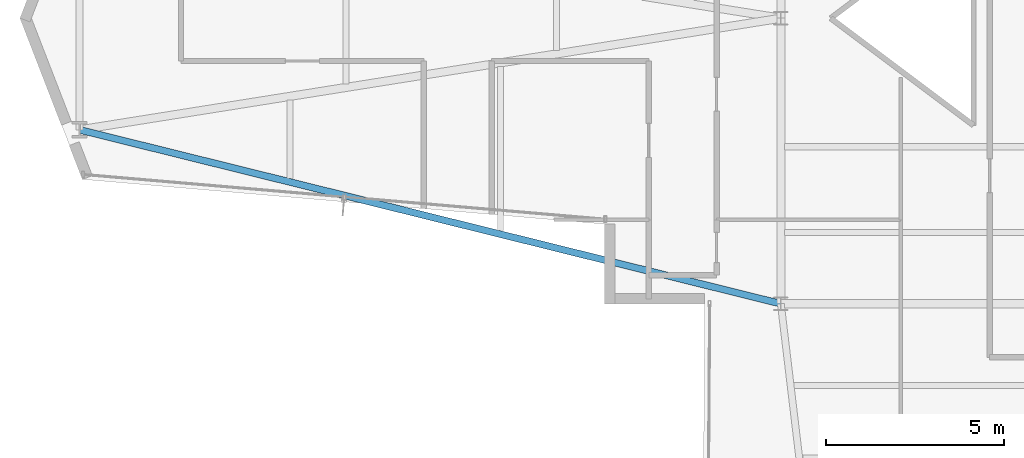
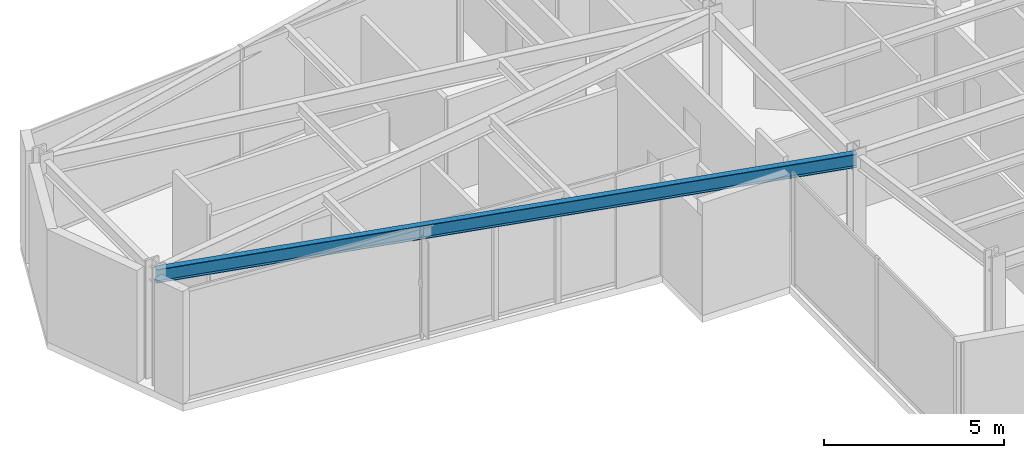
# One storey, part 3 of 26: 1 beam.
"""IFC4 building model written with IfcOpenShell, lengths in metres."""

import ifcopenshell
import ifcopenshell.guid

model = None  # the IFC model being written
_history = None  # IfcOwnerHistory: only IFC2X3 demands one
_inside = {}  # id of a spatial element -> (the spatial element, [elements in it])
_under = {}  # id of a project, library or spatial element -> (it, [spatial elements below it])
_declared = {}  # id of a project -> (the project, [libraries it declares])
_typed = {}  # id of a type object -> (the type object, [elements of that type])
_made_of = {}  # id of a material, layer set ... -> (it, [elements and type objects made of it])


def new_model(schema):
    """Start an empty IFC model of exactly this schema.

    Asked for "IFC4X3", IfcOpenShell would pick the latest addendum, in which some entities
    have other attributes; the version numbers below select the first issue.
    IFC2X3 requires an IfcOwnerHistory on every rooted entity: one is made here for all.
    """
    global model, _history
    if schema == "IFC4X3":
        model = ifcopenshell.file(schema_version=(4, 3, 0, 0))
    else:
        model = ifcopenshell.file(schema=schema)
    _inside.clear()
    _under.clear()
    _declared.clear()
    _typed.clear()
    _made_of.clear()
    _history = None
    if model.schema == "IFC2X3":
        org = make("IfcOrganization", Name="unknown")
        user = make(
            "IfcPersonAndOrganization",
            ThePerson=make("IfcPerson", FamilyName="unknown"),
            TheOrganization=org,
        )
        app = make(
            "IfcApplication",
            ApplicationDeveloper=org,
            Version="unknown",
            ApplicationFullName="unknown",
            ApplicationIdentifier="unknown",
        )
        _history = make(
            "IfcOwnerHistory",
            OwningUser=user,
            OwningApplication=app,
            ChangeAction="ADDED",
            CreationDate=0,
        )
    return model


def make(cls, **values):
    """One entity of the class cls with the attributes given. An attribute that is None is left unset."""
    return model.create_entity(
        cls, **{name: value for name, value in values.items() if value is not None}
    )


def rooted(cls, **values):
    """An entity with a GlobalId (a new one), such as an element, a storey or a relation."""
    return make(cls, GlobalId=ifcopenshell.guid.new(), OwnerHistory=_history, **values)


def si_unit(unit_type, name, prefix=None):
    """IfcSIUnit, for example si_unit("LENGTHUNIT", "METRE", prefix="MILLI")."""
    return make("IfcSIUnit", UnitType=unit_type, Prefix=prefix, Name=name)


def assignment(units):
    """IfcUnitAssignment: the units of a project."""
    return None if units is None else make("IfcUnitAssignment", Units=units)


def point(xyz):
    """IfcCartesianPoint."""
    return None if xyz is None else make("IfcCartesianPoint", Coordinates=xyz)


def direction(xyz):
    """IfcDirection."""
    return None if xyz is None else make("IfcDirection", DirectionRatios=xyz)


def frame(location, z_axis=None, x_axis=None):
    """IfcAxis2Placement3D, a coordinate frame: its origin and axes. An axis left out is left unset."""
    return make(
        "IfcAxis2Placement3D",
        Location=point(location),
        Axis=direction(z_axis),
        RefDirection=direction(x_axis),
    )


def frame_2d(location, x_axis=None):
    """IfcAxis2Placement2D, a coordinate frame in the plane: its origin and x axis."""
    return make(
        "IfcAxis2Placement2D", Location=point(location), RefDirection=direction(x_axis)
    )


def origin():
    """The frame at (0, 0, 0) with its axes left unset."""
    return frame((0.0, 0.0, 0.0))


def origin_2d():
    """The frame at (0, 0) in the plane with its x axis left unset."""
    return frame_2d((0.0, 0.0))


def place(relative_to, where):
    """IfcLocalPlacement: puts the frame where relative to a parent placement (None: the world)."""
    return make(
        "IfcLocalPlacement", PlacementRelTo=relative_to, RelativePlacement=where
    )


def context(
    kind, dimensions, precision=None, world=None, true_north=None, identifier=None
):
    """IfcGeometricRepresentationContext, for example the 3D "Model" context."""
    return make(
        "IfcGeometricRepresentationContext",
        ContextIdentifier=identifier,
        ContextType=kind,
        CoordinateSpaceDimension=dimensions,
        Precision=precision,
        WorldCoordinateSystem=world,
        TrueNorth=true_north,
    )


def subcontext(parent, identifier, kind, view, scale=None):
    """IfcGeometricRepresentationSubContext, for example "Body" below "Model"."""
    return make(
        "IfcGeometricRepresentationSubContext",
        ContextIdentifier=identifier,
        ContextType=kind,
        ParentContext=parent,
        TargetScale=scale,
        TargetView=view,
    )


def project(units=None, contexts=None):
    """IfcProject with its units and contexts."""
    return rooted(
        "IfcProject",
        Name="project",
        RepresentationContexts=contexts,
        UnitsInContext=assignment(units),
    )


def spatial(cls, under=None, at=None, **own):
    """A site, building, storey or space (cls), placed at a placement, below another one or the project."""
    s = rooted(cls, ObjectPlacement=at, **own)
    if under is not None:
        _under.setdefault(under.id(), (under, []))[1].append(s)
    return s


def profile(cls, at=None, kind="AREA", **sizes):
    """A parametric profile (cls). Its sizes go by their IFC names, for example OverallWidth=200.0."""
    return make(cls, ProfileType=kind, Position=at, **sizes)


def i_section(**sizes):
    """IfcIShapeProfileDef."""
    return profile("IfcIShapeProfileDef", **sizes)


def extrude(swept, where, along, depth):
    """IfcExtrudedAreaSolid: the profile swept, set in the frame where, extruded along a direction by depth."""
    return make(
        "IfcExtrudedAreaSolid",
        SweptArea=swept,
        Position=where,
        ExtrudedDirection=direction(along),
        Depth=depth,
    )


def shape(context_of_items, identifier, shape_type, items):
    """IfcShapeRepresentation: the items that make up one representation, for example the "Body"."""
    return make(
        "IfcShapeRepresentation",
        ContextOfItems=context_of_items,
        RepresentationIdentifier=identifier,
        RepresentationType=shape_type,
        Items=items,
    )


def material(Name=None, Category=None):
    """IfcMaterial."""
    return make("IfcMaterial", Name=Name, Category=Category)


def material_profile(
    of_material, cross_section, Name=None, Category=None, Priority=None
):
    """IfcMaterialProfile: a cross section and its material."""
    return make(
        "IfcMaterialProfile",
        Name=Name,
        Material=of_material,
        Profile=cross_section,
        Priority=Priority,
        Category=Category,
    )


def profile_set(profiles, Name=None, composite=None):
    """IfcMaterialProfileSet."""
    return make(
        "IfcMaterialProfileSet",
        Name=Name,
        MaterialProfiles=profiles,
        CompositeProfile=composite,
    )


def made_of(thing, what):
    """Note that an element or type object is made of a material, layer set ...; save() writes the relation."""
    if what is not None:
        _made_of.setdefault(what.id(), (what, []))[1].append(thing)
    return thing


def type_object(cls, material=None, **own):
    """A type object (cls), such as IfcWallType, which elements share."""
    return made_of(rooted(cls, **own), material)


def element(
    cls,
    number,
    at=None,
    inside=None,
    cuts=None,
    type_object=None,
    material=None,
    context=None,
    identifier="Body",
    shape_type=None,
    held_by="IfcProductDefinitionShape",
    body=None,
    shapes=None,
    **own,
):
    """One element of the class cls, such as IfcWall. Its Tag is "e" and its number.

    at: its placement. inside: the storey or other place that contains it. cuts: it is an
    opening in that element (IfcRelVoidsElement). A single representation is given by context,
    identifier, shape_type and body (its items); several are given by shapes. held_by: the class
    of the entity that holds the representations. save() writes the other relations.
    """
    e = rooted(cls, Tag="e%d" % number, ObjectPlacement=at, **own)
    if body is not None:
        shapes = [shape(context, identifier, shape_type, body)]
    if shapes is not None:
        e.Representation = make(held_by, Representations=shapes)
    if inside is not None:
        _inside.setdefault(inside.id(), (inside, []))[1].append(e)
    if cuts is not None:
        rooted(
            "IfcRelVoidsElement", RelatingBuildingElement=cuts, RelatedOpeningElement=e
        )
    if type_object is not None:
        _typed.setdefault(type_object.id(), (type_object, []))[1].append(e)
    return made_of(e, material)


def aggregate(whole, parts):
    """IfcRelAggregates: a whole, such as a stair, and the parts it consists of."""
    return rooted("IfcRelAggregates", RelatingObject=whole, RelatedObjects=parts)


def save(model, path):
    """Write the relations noted so far, then the file.

    IfcRelAggregates (storeys below a building ...), IfcRelContainedInSpatialStructure (elements
    in a storey), IfcRelDefinesByType, IfcRelAssociatesMaterial and IfcRelDeclares: one each for
    every whole, place, type object, material and project.
    """
    for whole, parts in _under.values():
        aggregate(whole, parts)
    for where, things in _inside.values():
        rooted(
            "IfcRelContainedInSpatialStructure",
            RelatedElements=things,
            RelatingStructure=where,
        )
    for kind, things in _typed.values():
        rooted("IfcRelDefinesByType", RelatedObjects=things, RelatingType=kind)
    for what, things in _made_of.values():
        rooted("IfcRelAssociatesMaterial", RelatedObjects=things, RelatingMaterial=what)
    for by, libraries in _declared.values():
        rooted("IfcRelDeclares", RelatingContext=by, RelatedDefinitions=libraries)
    model.write(path)


model = new_model("IFC4")

# Units and contexts
model_context = context("Model", 3, precision=1e-05, world=origin(), true_north=direction((0.0, 1.0)))
body_context = subcontext(model_context, "Body", "Model", "MODEL_VIEW")
ifc_project = project(units=[si_unit("LENGTHUNIT", "METRE"), si_unit("AREAUNIT", "SQUARE_METRE"), si_unit("VOLUMEUNIT", "CUBIC_METRE"), si_unit("PLANEANGLEUNIT", "RADIAN"), si_unit("MASSUNIT", "GRAM", prefix="KILO")], contexts=[model_context])

# Site, building, storey
site_placement = place(None, origin())
site = spatial("IfcSite", under=ifc_project, at=site_placement, CompositionType="ELEMENT")
building_placement = place(site_placement, origin())
building = spatial("IfcBuilding", under=site, at=building_placement, Name="Veymaron Broadcast Tower", CompositionType="ELEMENT")
storey_placement = place(building_placement, frame((0.0, 0.0, 153.300048828125)))
storey = spatial("IfcBuildingStorey", under=building, at=storey_placement, Name="L35", CompositionType="ELEMENT", Elevation=153.300048828125)

# Beam
ifc_material = material(Name="Structural steel ASTM A992 Gr 50", Category="steel")
ifc_material_profile = material_profile(ifc_material, i_section(OverallWidth=0.19091796875, OverallDepth=0.4599609375, WebThickness=0.010009765625, FlangeThickness=0.01611328125, at=origin_2d()), Name="W460X82")
ifc_profile_set = profile_set([ifc_material_profile], Name="Structural steel ASTM A992 Gr 50")
beam_type = type_object("IfcBeamType", Name="BM-SP1", PredefinedType="SPANDREL", material=ifc_profile_set)
beam_placement = place(storey_placement, frame((11.5537109375, 20.8720703125, 3.579833984375), z_axis=(0.970599808428, -0.24069900681, 0.0), x_axis=(0.24069900681, 0.970599808428, 0.0)))
element("IfcBeam", 1, at=beam_placement, inside=storey, type_object=beam_type, Name="L35 primary structural floor girder", PredefinedType="SPANDREL", context=body_context, shape_type="SweptSolid", body=[
    extrude(i_section(OverallWidth=0.19091796875, OverallDepth=0.4599609375, WebThickness=0.010009765625, FlangeThickness=0.01611328125, at=origin_2d()), origin(), (0.0, 0.0, 1.0), 20.241455078125),
])

save(model, "model.ifc")
